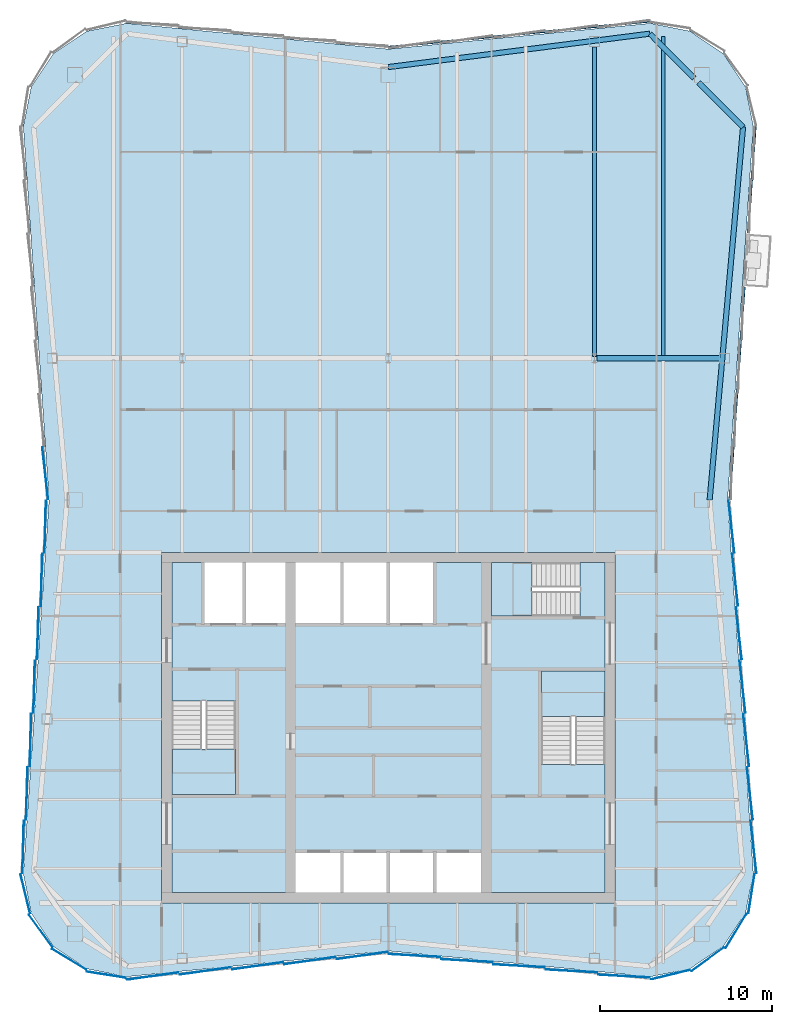
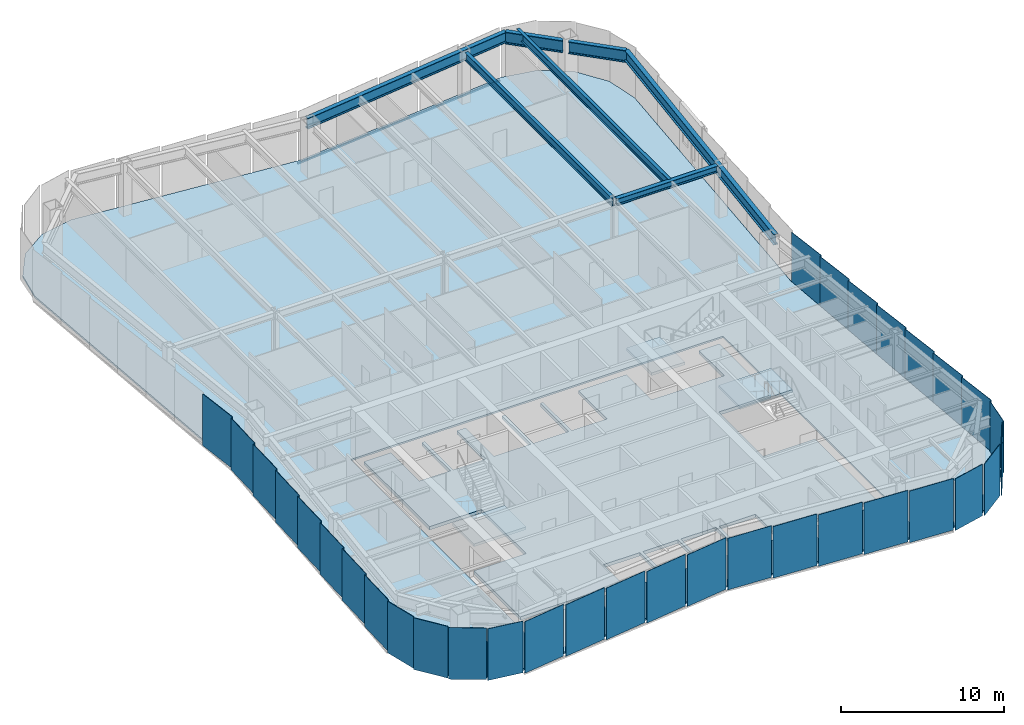
# One storey, part 4 of 10: 33 plates, 7 beams, 5 slabs, 3 members, 9 elements without a shape of their own.
"""IFC4 building model written with IfcOpenShell, lengths in metres."""

import ifcopenshell
import ifcopenshell.guid

model = None  # the IFC model being written
_history = None  # IfcOwnerHistory: only IFC2X3 demands one
_inside = {}  # id of a spatial element -> (the spatial element, [elements in it])
_under = {}  # id of a project, library or spatial element -> (it, [spatial elements below it])
_declared = {}  # id of a project -> (the project, [libraries it declares])
_typed = {}  # id of a type object -> (the type object, [elements of that type])
_made_of = {}  # id of a material, layer set ... -> (it, [elements and type objects made of it])


def new_model(schema):
    """Start an empty IFC model of exactly this schema.

    Asked for "IFC4X3", IfcOpenShell would pick the latest addendum, in which some entities
    have other attributes; the version numbers below select the first issue.
    IFC2X3 requires an IfcOwnerHistory on every rooted entity: one is made here for all.
    """
    global model, _history
    if schema == "IFC4X3":
        model = ifcopenshell.file(schema_version=(4, 3, 0, 0))
    else:
        model = ifcopenshell.file(schema=schema)
    _inside.clear()
    _under.clear()
    _declared.clear()
    _typed.clear()
    _made_of.clear()
    _history = None
    if model.schema == "IFC2X3":
        org = make("IfcOrganization", Name="unknown")
        user = make(
            "IfcPersonAndOrganization",
            ThePerson=make("IfcPerson", FamilyName="unknown"),
            TheOrganization=org,
        )
        app = make(
            "IfcApplication",
            ApplicationDeveloper=org,
            Version="unknown",
            ApplicationFullName="unknown",
            ApplicationIdentifier="unknown",
        )
        _history = make(
            "IfcOwnerHistory",
            OwningUser=user,
            OwningApplication=app,
            ChangeAction="ADDED",
            CreationDate=0,
        )
    return model


def make(cls, **values):
    """One entity of the class cls with the attributes given. An attribute that is None is left unset."""
    return model.create_entity(
        cls, **{name: value for name, value in values.items() if value is not None}
    )


def rooted(cls, **values):
    """An entity with a GlobalId (a new one), such as an element, a storey or a relation."""
    return make(cls, GlobalId=ifcopenshell.guid.new(), OwnerHistory=_history, **values)


def si_unit(unit_type, name, prefix=None):
    """IfcSIUnit, for example si_unit("LENGTHUNIT", "METRE", prefix="MILLI")."""
    return make("IfcSIUnit", UnitType=unit_type, Prefix=prefix, Name=name)


def assignment(units):
    """IfcUnitAssignment: the units of a project."""
    return None if units is None else make("IfcUnitAssignment", Units=units)


def point(xyz):
    """IfcCartesianPoint."""
    return None if xyz is None else make("IfcCartesianPoint", Coordinates=xyz)


def direction(xyz):
    """IfcDirection."""
    return None if xyz is None else make("IfcDirection", DirectionRatios=xyz)


def frame(location, z_axis=None, x_axis=None):
    """IfcAxis2Placement3D, a coordinate frame: its origin and axes. An axis left out is left unset."""
    return make(
        "IfcAxis2Placement3D",
        Location=point(location),
        Axis=direction(z_axis),
        RefDirection=direction(x_axis),
    )


def frame_2d(location, x_axis=None):
    """IfcAxis2Placement2D, a coordinate frame in the plane: its origin and x axis."""
    return make(
        "IfcAxis2Placement2D", Location=point(location), RefDirection=direction(x_axis)
    )


def origin():
    """The frame at (0, 0, 0) with its axes left unset."""
    return frame((0.0, 0.0, 0.0))


def origin_2d():
    """The frame at (0, 0) in the plane with its x axis left unset."""
    return frame_2d((0.0, 0.0))


def place(relative_to, where):
    """IfcLocalPlacement: puts the frame where relative to a parent placement (None: the world)."""
    return make(
        "IfcLocalPlacement", PlacementRelTo=relative_to, RelativePlacement=where
    )


def context(
    kind, dimensions, precision=None, world=None, true_north=None, identifier=None
):
    """IfcGeometricRepresentationContext, for example the 3D "Model" context."""
    return make(
        "IfcGeometricRepresentationContext",
        ContextIdentifier=identifier,
        ContextType=kind,
        CoordinateSpaceDimension=dimensions,
        Precision=precision,
        WorldCoordinateSystem=world,
        TrueNorth=true_north,
    )


def subcontext(parent, identifier, kind, view, scale=None):
    """IfcGeometricRepresentationSubContext, for example "Body" below "Model"."""
    return make(
        "IfcGeometricRepresentationSubContext",
        ContextIdentifier=identifier,
        ContextType=kind,
        ParentContext=parent,
        TargetScale=scale,
        TargetView=view,
    )


def project(units=None, contexts=None):
    """IfcProject with its units and contexts."""
    return rooted(
        "IfcProject",
        Name="project",
        RepresentationContexts=contexts,
        UnitsInContext=assignment(units),
    )


def spatial(cls, under=None, at=None, **own):
    """A site, building, storey or space (cls), placed at a placement, below another one or the project."""
    s = rooted(cls, ObjectPlacement=at, **own)
    if under is not None:
        _under.setdefault(under.id(), (under, []))[1].append(s)
    return s


def polyline(points):
    """IfcPolyline through the points."""
    return make("IfcPolyline", Points=[point(p) for p in points])


def profile(cls, at=None, kind="AREA", **sizes):
    """A parametric profile (cls). Its sizes go by their IFC names, for example OverallWidth=200.0."""
    return make(cls, ProfileType=kind, Position=at, **sizes)


def rectangle(**sizes):
    """IfcRectangleProfileDef."""
    return profile("IfcRectangleProfileDef", **sizes)


def i_section(**sizes):
    """IfcIShapeProfileDef."""
    return profile("IfcIShapeProfileDef", **sizes)


def outline(outer, holes=None, kind="AREA"):
    """IfcArbitraryClosedProfileDef: a profile drawn as a closed curve; with holes, ...WithVoids."""
    if holes is None:
        return make("IfcArbitraryClosedProfileDef", ProfileType=kind, OuterCurve=outer)
    return make(
        "IfcArbitraryProfileDefWithVoids",
        ProfileType=kind,
        OuterCurve=outer,
        InnerCurves=holes,
    )


def extrude(swept, where, along, depth):
    """IfcExtrudedAreaSolid: the profile swept, set in the frame where, extruded along a direction by depth."""
    return make(
        "IfcExtrudedAreaSolid",
        SweptArea=swept,
        Position=where,
        ExtrudedDirection=direction(along),
        Depth=depth,
    )


def shape(context_of_items, identifier, shape_type, items):
    """IfcShapeRepresentation: the items that make up one representation, for example the "Body"."""
    return make(
        "IfcShapeRepresentation",
        ContextOfItems=context_of_items,
        RepresentationIdentifier=identifier,
        RepresentationType=shape_type,
        Items=items,
    )


def material(Name=None, Category=None):
    """IfcMaterial."""
    return make("IfcMaterial", Name=Name, Category=Category)


def layer(
    of_material, thickness, ventilated=None, Name=None, Category=None, Priority=None
):
    """IfcMaterialLayer: one layer of a wall or slab, of a material (None: an air gap)."""
    return make(
        "IfcMaterialLayer",
        Material=of_material,
        LayerThickness=thickness,
        IsVentilated=ventilated,
        Name=Name,
        Category=Category,
        Priority=Priority,
    )


def layer_set(layers, Name=None):
    """IfcMaterialLayerSet."""
    return make("IfcMaterialLayerSet", MaterialLayers=layers, LayerSetName=Name)


def material_profile(
    of_material, cross_section, Name=None, Category=None, Priority=None
):
    """IfcMaterialProfile: a cross section and its material."""
    return make(
        "IfcMaterialProfile",
        Name=Name,
        Material=of_material,
        Profile=cross_section,
        Priority=Priority,
        Category=Category,
    )


def profile_set(profiles, Name=None, composite=None):
    """IfcMaterialProfileSet."""
    return make(
        "IfcMaterialProfileSet",
        Name=Name,
        MaterialProfiles=profiles,
        CompositeProfile=composite,
    )


def made_of(thing, what):
    """Note that an element or type object is made of a material, layer set ...; save() writes the relation."""
    if what is not None:
        _made_of.setdefault(what.id(), (what, []))[1].append(thing)
    return thing


def type_object(cls, material=None, **own):
    """A type object (cls), such as IfcWallType, which elements share."""
    return made_of(rooted(cls, **own), material)


def element(
    cls,
    number,
    at=None,
    inside=None,
    cuts=None,
    type_object=None,
    material=None,
    context=None,
    identifier="Body",
    shape_type=None,
    held_by="IfcProductDefinitionShape",
    body=None,
    shapes=None,
    **own,
):
    """One element of the class cls, such as IfcWall. Its Tag is "e" and its number.

    at: its placement. inside: the storey or other place that contains it. cuts: it is an
    opening in that element (IfcRelVoidsElement). A single representation is given by context,
    identifier, shape_type and body (its items); several are given by shapes. held_by: the class
    of the entity that holds the representations. save() writes the other relations.
    """
    e = rooted(cls, Tag="e%d" % number, ObjectPlacement=at, **own)
    if body is not None:
        shapes = [shape(context, identifier, shape_type, body)]
    if shapes is not None:
        e.Representation = make(held_by, Representations=shapes)
    if inside is not None:
        _inside.setdefault(inside.id(), (inside, []))[1].append(e)
    if cuts is not None:
        rooted(
            "IfcRelVoidsElement", RelatingBuildingElement=cuts, RelatedOpeningElement=e
        )
    if type_object is not None:
        _typed.setdefault(type_object.id(), (type_object, []))[1].append(e)
    return made_of(e, material)


def aggregate(whole, parts):
    """IfcRelAggregates: a whole, such as a stair, and the parts it consists of."""
    return rooted("IfcRelAggregates", RelatingObject=whole, RelatedObjects=parts)


def save(model, path):
    """Write the relations noted so far, then the file.

    IfcRelAggregates (storeys below a building ...), IfcRelContainedInSpatialStructure (elements
    in a storey), IfcRelDefinesByType, IfcRelAssociatesMaterial and IfcRelDeclares: one each for
    every whole, place, type object, material and project.
    """
    for whole, parts in _under.values():
        aggregate(whole, parts)
    for where, things in _inside.values():
        rooted(
            "IfcRelContainedInSpatialStructure",
            RelatedElements=things,
            RelatingStructure=where,
        )
    for kind, things in _typed.values():
        rooted("IfcRelDefinesByType", RelatedObjects=things, RelatingType=kind)
    for what, things in _made_of.values():
        rooted("IfcRelAssociatesMaterial", RelatedObjects=things, RelatingMaterial=what)
    for by, libraries in _declared.values():
        rooted("IfcRelDeclares", RelatingContext=by, RelatedDefinitions=libraries)
    model.write(path)


model = new_model("IFC4")

# Units and contexts
model_context = context("Model", 3, precision=1e-05, world=origin(), true_north=direction((0.0, 1.0)))
body_context = subcontext(model_context, "Body", "Model", "MODEL_VIEW")
ifc_project = project(units=[si_unit("LENGTHUNIT", "METRE"), si_unit("AREAUNIT", "SQUARE_METRE"), si_unit("VOLUMEUNIT", "CUBIC_METRE"), si_unit("PLANEANGLEUNIT", "RADIAN"), si_unit("MASSUNIT", "GRAM", prefix="KILO")], contexts=[model_context])

# Site, building, storey
site_placement = place(None, origin())
site = spatial("IfcSite", under=ifc_project, at=site_placement, CompositionType="ELEMENT")
building_placement = place(site_placement, origin())
building = spatial("IfcBuilding", under=site, at=building_placement, Name="Verdant Reach Tower", CompositionType="ELEMENT")
storey_placement = place(building_placement, frame((0.0, 0.0, 310.0)))
storey = spatial("IfcBuildingStorey", under=building, at=storey_placement, Name="L71", CompositionType="ELEMENT", Elevation=310.0)

# Curtain wall, members
ifc_material_1 = material(Name="Anodised aluminium", Category="aluminium")
curtain_wall_type = type_object("IfcCurtainWallType", Name="EN-CW SYSTEM Z5", PredefinedType="NOTDEFINED", material=ifc_material_1)
curtain_wall_1_placement = place(storey_placement, origin())
curtain_wall_1 = element("IfcCurtainWall", 1, at=curtain_wall_1_placement, inside=storey, type_object=curtain_wall_type, Name="Curtain wall east, L71", PredefinedType="NOTDEFINED")
ifc_material_profile_1 = material_profile(ifc_material_1, rectangle(XDim=0.10009765625, YDim=0.1298828125, at=origin_2d()), Name="Transom 130x100")
ifc_profile_set_1 = profile_set([ifc_material_profile_1], Name="Anodised aluminium")
member_type = type_object("IfcMemberType", Name="EN-TRANSOM Z5", PredefinedType="USERDEFINED", material=ifc_profile_set_1)
member_1_placement = place(storey_placement, frame((19.867431640625, 41.284912109375, -0.284912109375), z_axis=(0.068823748892, 0.997628834582, 0.0), x_axis=(-0.997628834582, 0.068823748892, 0.0)))
member_1 = element("IfcMember", 2, at=member_1_placement, type_object=member_type, Name="Transom east face part 2 1.1, L71", ObjectType="TRANSOM", PredefinedType="USERDEFINED", context=body_context, shape_type="SweptSolid", body=[
    extrude(rectangle(XDim=0.10009765625, YDim=0.1298828125, at=origin_2d()), origin(), (0.0, 0.0, 1.0), 12.380126953125),
])
member_2_placement = place(storey_placement, frame((20.9384765625, 56.812744140625, -0.284912109375), z_axis=(0.068644672033, 0.997641172467, 0.0), x_axis=(-0.997641172467, 0.068644672033, 0.0)))
member_2 = element("IfcMember", 3, at=member_2_placement, type_object=member_type, Name="Transom east face part 2 2.1, L71", ObjectType="TRANSOM", PredefinedType="USERDEFINED", context=body_context, shape_type="SweptSolid", body=[
    extrude(rectangle(XDim=0.10009765625, YDim=0.1298828125, at=origin_2d()), origin(), (0.0, 0.0, 1.0), 6.17431640625),
])

# Curtain wall, member
curtain_wall_2_placement = place(storey_placement, origin())
curtain_wall_2 = element("IfcCurtainWall", 4, at=curtain_wall_2_placement, inside=storey, type_object=curtain_wall_type, Name="Curtain wall north, L71", PredefinedType="NOTDEFINED")
member_3_placement = place(storey_placement, frame((15.220703125, 69.111328125, -0.284912109375), z_axis=(-0.99520229006, -0.097838652171, 0.0), x_axis=(0.097838652171, -0.99520229006, 0.0)))
member_3 = element("IfcMember", 5, at=member_3_placement, type_object=member_type, Name="Transom north face part 1 1.1, L71", ObjectType="TRANSOM", PredefinedType="USERDEFINED", context=body_context, shape_type="SweptSolid", body=[
    extrude(rectangle(XDim=0.10009765625, YDim=0.1298828125, at=origin_2d()), origin(), (0.0, 0.0, 1.0), 15.259033203125),
])
aggregate(curtain_wall_2, [member_3])

# Beams
ifc_material_2 = material(Name="Steel S355", Category="steel")
ifc_material_profile_2 = material_profile(ifc_material_2, i_section(OverallWidth=0.300048828125, OverallDepth=0.489990234375, WebThickness=0.011962890625, FlangeThickness=0.02294921875, FilletRadius=0.027099609375, at=origin_2d()), Name="HEA 500")
ifc_profile_set_2 = profile_set([ifc_material_profile_2], Name="Steel S355")
beam_type_1 = type_object("IfcBeamType", Name="ST-BEAM-HEA500", PredefinedType="BEAM", material=ifc_profile_set_2)
beam_1_placement = place(storey_placement, frame((12.153076171875, 49.5, 3.625), z_axis=(1.0, 0.0, 0.0), x_axis=(0.0, 1.0, 0.0)))
element("IfcBeam", 6, at=beam_1_placement, inside=storey, type_object=beam_type_1, Name="Row girder, L71", PredefinedType="BEAM", context=body_context, shape_type="SweptSolid", body=[
    extrude(i_section(OverallWidth=0.300048828125, OverallDepth=0.489990234375, WebThickness=0.011962890625, FlangeThickness=0.02294921875, FilletRadius=0.027099609375, at=origin_2d()), origin(), (0.0, 0.0, 1.0), 7.115966796875),
])
ifc_material_profile_3 = material_profile(ifc_material_2, i_section(OverallWidth=0.219970703125, OverallDepth=0.60009765625, WebThickness=0.011962890625, FlangeThickness=0.01904296875, FilletRadius=0.02392578125, at=origin_2d()), Name="IPE 600")
ifc_profile_set_3 = profile_set([ifc_material_profile_3], Name="Steel S355")
beam_type_2 = type_object("IfcBeamType", Name="ST-JOIST-IPE600", PredefinedType="JOIST", material=ifc_profile_set_3)
beam_2_placement = place(storey_placement, frame((12.0, 49.60009765625, 3.570068359375), z_axis=(0.0, 1.0, 0.0), x_axis=(-1.0, 0.0, 0.0)))
element("IfcBeam", 7, at=beam_2_placement, inside=storey, type_object=beam_type_2, Name="Floor joist, L71", PredefinedType="JOIST", context=body_context, shape_type="SweptSolid", body=[
    extrude(i_section(OverallWidth=0.219970703125, OverallDepth=0.60009765625, WebThickness=0.011962890625, FlangeThickness=0.01904296875, FilletRadius=0.02392578125, at=origin_2d()), origin(), (0.0, 0.0, 1.0), 18.0302734375),
])
beam_3_placement = place(storey_placement, frame((16.0, 49.60009765625, 3.570068359375), z_axis=(0.0, 1.0, 0.0), x_axis=(-1.0, 0.0, 0.0)))
element("IfcBeam", 8, at=beam_3_placement, inside=storey, type_object=beam_type_2, Name="Floor joist, L71", PredefinedType="JOIST", context=body_context, shape_type="SweptSolid", body=[
    extrude(i_section(OverallWidth=0.219970703125, OverallDepth=0.60009765625, WebThickness=0.011962890625, FlangeThickness=0.01904296875, FilletRadius=0.02392578125, at=origin_2d()), origin(), (0.0, 0.0, 1.0), 18.638916015625),
])
ifc_material_profile_4 = material_profile(ifc_material_2, i_section(OverallWidth=0.300048828125, OverallDepth=0.800048828125, WebThickness=0.017578125, FlangeThickness=0.032958984375, FilletRadius=0.030029296875, at=origin_2d()), Name="HEB 800")
ifc_profile_set_4 = profile_set([ifc_material_profile_4], Name="Steel S355")
beam_type_3 = type_object("IfcBeamType", Name="ST-SPANDREL-HEB800", PredefinedType="SPANDREL", material=ifc_profile_set_4)
beam_4_placement = place(storey_placement, frame((0.0, 66.449951171875, 3.469970703125), z_axis=(0.991938889669, 0.126717162063, 0.0), x_axis=(-0.126717162063, 0.991938889669, 0.0)))
element("IfcBeam", 9, at=beam_4_placement, inside=storey, type_object=beam_type_3, Name="Edge beam, L71", PredefinedType="SPANDREL", context=body_context, shape_type="SweptSolid", body=[
    extrude(i_section(OverallWidth=0.300048828125, OverallDepth=0.800048828125, WebThickness=0.017578125, FlangeThickness=0.032958984375, FilletRadius=0.030029296875, at=origin_2d()), origin(), (0.0, 0.0, 1.0), 15.343994140625),
])
beam_5_placement = place(storey_placement, frame((20.64599609375, 62.96142578125, 3.469970703125), z_axis=(-0.089274399498, -0.996007069048, 0.0), x_axis=(0.996007069048, -0.089274399498, 0.0)))
element("IfcBeam", 10, at=beam_5_placement, inside=storey, type_object=beam_type_3, Name="Edge beam, L71", PredefinedType="SPANDREL", context=body_context, shape_type="SweptSolid", body=[
    extrude(i_section(OverallWidth=0.300048828125, OverallDepth=0.800048828125, WebThickness=0.017578125, FlangeThickness=0.032958984375, FilletRadius=0.030029296875, at=origin_2d()), origin(), (0.0, 0.0, 1.0), 21.798583984375),
])
ifc_material_profile_5 = material_profile(ifc_material_2, i_section(OverallWidth=0.302001953125, OverallDepth=0.909912109375, WebThickness=0.02099609375, FlangeThickness=0.0400390625, FilletRadius=0.030029296875, at=origin_2d()), Name="HEM 900")
ifc_profile_set_5 = profile_set([ifc_material_profile_5], Name="Steel S355")
beam_type_4 = type_object("IfcBeamType", Name="ST-SPANDREL-HEM900", PredefinedType="SPANDREL", material=ifc_profile_set_5)
beam_6_placement = place(storey_placement, frame((15.22021484375, 68.394287109375, 3.4150390625), z_axis=(0.706638520854, -0.707574731632, 0.0), x_axis=(0.707574731632, 0.706638520854, 0.0)))
element("IfcBeam", 11, at=beam_6_placement, inside=storey, type_object=beam_type_4, Name="Edge beam, L71", PredefinedType="SPANDREL", context=body_context, shape_type="SweptSolid", body=[
    extrude(i_section(OverallWidth=0.302001953125, OverallDepth=0.909912109375, WebThickness=0.02099609375, FlangeThickness=0.0400390625, FilletRadius=0.030029296875, at=origin_2d()), origin(), (0.0, 0.0, 1.0), 3.65087890625),
])
beam_7_placement = place(storey_placement, frame((18.060791015625, 65.550048828125, 3.4150390625), z_axis=(0.706639493403, -0.707573760369, 0.0), x_axis=(0.707573760369, 0.706639493403, 0.0)))
element("IfcBeam", 12, at=beam_7_placement, inside=storey, type_object=beam_type_4, Name="Edge beam, L71", PredefinedType="SPANDREL", context=body_context, shape_type="SweptSolid", body=[
    extrude(i_section(OverallWidth=0.302001953125, OverallDepth=0.909912109375, WebThickness=0.02099609375, FlangeThickness=0.0400390625, FilletRadius=0.030029296875, at=origin_2d()), origin(), (0.0, 0.0, 1.0), 3.658447265625),
])

# Stair, slab
ifc_material_3 = material(Name="Concrete C40/50", Category="concrete")
stair_type = type_object("IfcStairType", Name="CO-STAIR", PredefinedType="HALF_TURN_STAIR", material=ifc_material_3)
stair_1_placement = place(storey_placement, origin())
stair_1 = element("IfcStair", 13, at=stair_1_placement, inside=storey, type_object=stair_type, Name="L71 Exit stair 1", PredefinedType="HALF_TURN_STAIR")
ifc_layer_1 = layer(ifc_material_3, 0.199951171875)
ifc_layer_set_1 = layer_set([ifc_layer_1], Name="CO-STAIR-LANDING")
slab_type_1 = type_object("IfcSlabType", Name="CO-STAIR-LANDING", PredefinedType="LANDING", material=ifc_layer_set_1)
slab_1_placement = place(storey_placement, frame((0.0, 0.0, 1.800048828125)))
slab_1 = element("IfcSlab", 14, at=slab_1_placement, type_object=slab_type_1, Name="ST-1 landing 1", PredefinedType="LANDING", context=body_context, shape_type="SweptSolid", body=[
    extrude(outline(polyline([(-12.60009765625, 26.75), (-12.60009765625, 24.10009765625), (-8.89990234375, 24.10009765625), (-8.89990234375, 26.75), (-12.60009765625, 26.75)])), origin(), (0.0, 0.0, 1.0), 0.199951171875),
])
aggregate(stair_1, [slab_1])

stair_2_placement = place(storey_placement, origin())
stair_2 = element("IfcStair", 15, at=stair_2_placement, inside=storey, type_object=stair_type, Name="L71 Exit stair 2", PredefinedType="HALF_TURN_STAIR")
slab_2_placement = place(storey_placement, frame((0.0, 0.0, 1.800048828125)))
slab_2 = element("IfcSlab", 16, at=slab_2_placement, type_object=slab_type_1, Name="ST-2 landing 1", PredefinedType="LANDING", context=body_context, shape_type="SweptSolid", body=[
    extrude(outline(polyline([(12.60009765625, 28.64990234375), (12.60009765625, 31.300048828125), (8.89990234375, 31.300048828125), (8.89990234375, 28.64990234375), (12.60009765625, 28.64990234375)])), origin(), (0.0, 0.0, 1.0), 0.199951171875),
])
aggregate(stair_2, [slab_2])

stair_3_placement = place(storey_placement, origin())
stair_3 = element("IfcStair", 17, at=stair_3_placement, inside=storey, type_object=stair_type, Name="L71 Exit stair 3", PredefinedType="HALF_TURN_STAIR")
slab_3_placement = place(storey_placement, frame((0.0, 0.0, 1.800048828125)))
slab_3 = element("IfcSlab", 18, at=slab_3_placement, type_object=slab_type_1, Name="ST-3 landing 1", PredefinedType="LANDING", context=body_context, shape_type="SweptSolid", body=[
    extrude(outline(polyline([(8.35009765625, 37.60009765625), (6.0, 37.60009765625), (6.0, 34.5), (8.35009765625, 34.5), (8.35009765625, 37.60009765625)])), origin(), (0.0, 0.0, 1.0), 0.199951171875),
])
aggregate(stair_3, [slab_3])

# Curtain wall, plates
curtain_wall_3_placement = place(storey_placement, origin())
curtain_wall_3 = element("IfcCurtainWall", 19, at=curtain_wall_3_placement, inside=storey, type_object=curtain_wall_type, Name="Curtain wall south-east corner, L71", PredefinedType="NOTDEFINED")
ifc_material_4 = material(Name="Tinted glass with champagne spandrel", Category="glass")
ifc_layer_2 = layer(ifc_material_4, 0.031982421875)
ifc_layer_set_2 = layer_set([ifc_layer_2], Name="EN-PANEL CHAMPAGNE")
plate_type_1 = type_object("IfcPlateType", Name="EN-PANEL CHAMPAGNE", PredefinedType="CURTAIN_PANEL", material=ifc_layer_set_2)
plate_1_placement = place(storey_placement, frame((16.4228515625, 13.61767578125, -0.219970703125), z_axis=(0.0, 0.0, 1.0), x_axis=(0.971661765526, 0.236375577028, 0.0)))
plate_1 = element("IfcPlate", 20, at=plate_1_placement, type_object=plate_type_1, Name="Glass panel south-east corner 1.1, L71", PredefinedType="CURTAIN_PANEL", context=body_context, shape_type="SweptSolid", body=[
    extrude(rectangle(XDim=2.314453125, YDim=0.031982421875, at=origin_2d()), origin(), (0.0, 0.0, 1.0), 3.8701171875),
])
plate_2_placement = place(storey_placement, frame((18.58203125, 14.51318359375, -0.219970703125), z_axis=(0.0, 0.0, 1.0), x_axis=(0.807456783236, 0.58992672698, 0.0)))
plate_2 = element("IfcPlate", 21, at=plate_2_placement, type_object=plate_type_1, Name="Glass panel south-east corner 2.1, L71", PredefinedType="CURTAIN_PANEL", context=body_context, shape_type="SweptSolid", body=[
    extrude(rectangle(XDim=2.320068359375, YDim=0.031982421875, at=origin_2d()), origin(), (0.0, 0.0, 1.0), 3.8701171875),
])
plate_3_placement = place(storey_placement, frame((20.23681640625, 16.16796875, -0.219970703125), z_axis=(0.0, 0.0, 1.0), x_axis=(0.520291528711, 0.853988714885, 0.0)))
plate_3 = element("IfcPlate", 22, at=plate_3_placement, type_object=plate_type_1, Name="Glass panel south-east corner 3.1, L71", PredefinedType="CURTAIN_PANEL", context=body_context, shape_type="SweptSolid", body=[
    extrude(rectangle(XDim=2.320068359375, YDim=0.031982421875, at=origin_2d()), origin(), (0.0, 0.0, 1.0), 3.8701171875),
])

# Plate
plate_4_placement = place(storey_placement, frame((21.257568359375, 21.053955078125, -0.219970703125), z_axis=(0.0, 0.0, 1.0), x_axis=(-0.110197580247, 0.993909700782, 0.0)))
plate_4 = element("IfcPlate", 23, at=plate_4_placement, type_object=plate_type_1, Name="Glass panel east face part 1 1.1, L71", PredefinedType="CURTAIN_PANEL", context=body_context, shape_type="SweptSolid", body=[
    extrude(rectangle(XDim=3.063720703125, YDim=0.031982421875, at=origin_2d()), origin(), (0.0, 0.0, 1.0), 3.8701171875),
])

plate_5_placement = place(storey_placement, frame((19.971923828125, 39.700439453125, -0.219970703125), z_axis=(0.0, 0.0, 1.0), x_axis=(-0.110605344993, 0.993864406073, 0.0)))
plate_5 = element("IfcPlate", 24, at=plate_5_placement, type_object=plate_type_1, Name="Glass panel east face part 1 7.1, L71", PredefinedType="CURTAIN_PANEL", context=body_context, shape_type="SweptSolid", body=[
    extrude(rectangle(XDim=3.04052734375, YDim=0.031982421875, at=origin_2d()), origin(), (0.0, 0.0, 1.0), 3.8701171875),
])

# Curtain wall, plates
curtain_wall_4_placement = place(storey_placement, origin())
curtain_wall_4 = element("IfcCurtainWall", 25, at=curtain_wall_4_placement, inside=storey, type_object=curtain_wall_type, Name="Curtain wall west, L71", PredefinedType="NOTDEFINED")
plate_6_placement = place(storey_placement, frame((-20.8291015625, 27.27587890625, -0.219970703125), z_axis=(0.0, 0.0, 1.0), x_axis=(-0.026965318308, -0.999636369691, 0.0)))
plate_6 = element("IfcPlate", 26, at=plate_6_placement, type_object=plate_type_1, Name="Glass panel west face part 2 5.1, L71", PredefinedType="CURTAIN_PANEL", context=body_context, shape_type="SweptSolid", body=[
    extrude(rectangle(XDim=3.048583984375, YDim=0.031982421875, at=origin_2d()), origin(), (0.0, 0.0, 1.0), 3.8701171875),
])
plate_7_placement = place(storey_placement, frame((-21.043212890625, 24.168701171875, -0.219970703125), z_axis=(0.0, 0.0, 1.0), x_axis=(-0.026965318308, -0.999636369691, 0.0)))
plate_7 = element("IfcPlate", 27, at=plate_7_placement, type_object=plate_type_1, Name="Glass panel west face part 2 6.1, L71", PredefinedType="CURTAIN_PANEL", context=body_context, shape_type="SweptSolid", body=[
    extrude(rectangle(XDim=3.048583984375, YDim=0.031982421875, at=origin_2d()), origin(), (0.0, 0.0, 1.0), 3.8701171875),
])

curtain_wall_5_placement = place(storey_placement, origin())
curtain_wall_5 = element("IfcCurtainWall", 28, at=curtain_wall_5_placement, inside=storey, type_object=curtain_wall_type, Name="Curtain wall south-west corner, L71", PredefinedType="NOTDEFINED")
plate_8_placement = place(storey_placement, frame((-18.58203125, 14.51318359375, -0.219970703125), z_axis=(0.0, 0.0, 1.0), x_axis=(0.853988714885, -0.520291528711, 0.0)))
plate_8 = element("IfcPlate", 29, at=plate_8_placement, type_object=plate_type_1, Name="Glass panel south-west corner 3.1, L71", PredefinedType="CURTAIN_PANEL", context=body_context, shape_type="SweptSolid", body=[
    extrude(rectangle(XDim=2.320068359375, YDim=0.031982421875, at=origin_2d()), origin(), (0.0, 0.0, 1.0), 3.8701171875),
])
plate_9_placement = place(storey_placement, frame((-16.4228515625, 13.61767578125, -0.219970703125), z_axis=(0.0, 0.0, 1.0), x_axis=(0.988033409454, -0.154240013621, 0.0)))
plate_9 = element("IfcPlate", 30, at=plate_9_placement, type_object=plate_type_1, Name="Glass panel south-west corner 4.1, L71", PredefinedType="CURTAIN_PANEL", context=body_context, shape_type="SweptSolid", body=[
    extrude(rectangle(XDim=2.314453125, YDim=0.031982421875, at=origin_2d()), origin(), (0.0, 0.0, 1.0), 3.8701171875),
])

curtain_wall_6_placement = place(storey_placement, origin())
curtain_wall_6 = element("IfcCurtainWall", 31, at=curtain_wall_6_placement, inside=storey, type_object=curtain_wall_type, Name="Curtain wall south, L71", PredefinedType="NOTDEFINED")
plate_10_placement = place(storey_placement, frame((-13.72216796875, 13.535400390625, -0.219970703125), z_axis=(0.0, 0.0, 1.0), x_axis=(0.990281521639, 0.139077345032, 0.0)))
plate_10 = element("IfcPlate", 32, at=plate_10_placement, type_object=plate_type_1, Name="Glass panel south face part 1 1.1, L71", PredefinedType="CURTAIN_PANEL", context=body_context, shape_type="SweptSolid", body=[
    extrude(rectangle(XDim=3.015625, YDim=0.031982421875, at=origin_2d()), origin(), (0.0, 0.0, 1.0), 3.8701171875),
])
plate_11_placement = place(storey_placement, frame((-10.663818359375, 13.83544921875, -0.219970703125), z_axis=(0.0, 0.0, 1.0), x_axis=(0.990225318365, 0.139476947446, 0.0)))
plate_11 = element("IfcPlate", 33, at=plate_11_placement, type_object=plate_type_1, Name="Glass panel south face part 1 2.1, L71", PredefinedType="CURTAIN_PANEL", context=body_context, shape_type="SweptSolid", body=[
    extrude(rectangle(XDim=2.998779296875, YDim=0.031982421875, at=origin_2d()), origin(), (0.0, 0.0, 1.0), 3.8701171875),
])
plate_12_placement = place(storey_placement, frame((-7.61376953125, 14.135498046875, -0.219970703125), z_axis=(0.0, 0.0, 1.0), x_axis=(0.990225318365, 0.139476947446, 0.0)))
plate_12 = element("IfcPlate", 34, at=plate_12_placement, type_object=plate_type_1, Name="Glass panel south face part 1 3.1, L71", PredefinedType="CURTAIN_PANEL", context=body_context, shape_type="SweptSolid", body=[
    extrude(rectangle(XDim=2.998779296875, YDim=0.031982421875, at=origin_2d()), origin(), (0.0, 0.0, 1.0), 3.8701171875),
])
plate_13_placement = place(storey_placement, frame((7.61376953125, 14.135498046875, -0.219970703125), z_axis=(0.0, 0.0, 1.0), x_axis=(0.998423588956, -0.056127863106, 0.0)))
plate_13 = element("IfcPlate", 35, at=plate_13_placement, type_object=plate_type_1, Name="Glass panel south face part 2 3.1, L71", PredefinedType="CURTAIN_PANEL", context=body_context, shape_type="SweptSolid", body=[
    extrude(rectangle(XDim=2.998779296875, YDim=0.031982421875, at=origin_2d()), origin(), (0.0, 0.0, 1.0), 3.8701171875),
])
plate_14_placement = place(storey_placement, frame((10.663818359375, 13.83544921875, -0.219970703125), z_axis=(0.0, 0.0, 1.0), x_axis=(0.998423588956, -0.056127863106, 0.0)))
plate_14 = element("IfcPlate", 36, at=plate_14_placement, type_object=plate_type_1, Name="Glass panel south face part 2 4.1, L71", PredefinedType="CURTAIN_PANEL", context=body_context, shape_type="SweptSolid", body=[
    extrude(rectangle(XDim=2.998779296875, YDim=0.031982421875, at=origin_2d()), origin(), (0.0, 0.0, 1.0), 3.8701171875),
])

# Plate
ifc_material_5 = material(Name="Tinted glass with copper spandrel", Category="glass")
ifc_layer_3 = layer(ifc_material_5, 0.031982421875)
ifc_layer_set_3 = layer_set([ifc_layer_3], Name="EN-PANEL COPPER")
plate_type_2 = type_object("IfcPlateType", Name="EN-PANEL COPPER", PredefinedType="CURTAIN_PANEL", material=ifc_layer_set_3)
plate_15_placement = place(storey_placement, frame((21.132080078125, 18.326171875, -0.219970703125), z_axis=(0.0, 0.0, 1.0), x_axis=(0.154337499461, 0.988018186199, 0.0)))
plate_15 = element("IfcPlate", 37, at=plate_15_placement, type_object=plate_type_2, Name="Glass panel south-east corner 4.1, L71", PredefinedType="CURTAIN_PANEL", context=body_context, shape_type="SweptSolid", body=[
    extrude(rectangle(XDim=2.312744140625, YDim=0.031982421875, at=origin_2d()), origin(), (0.0, 0.0, 1.0), 3.8701171875),
])

aggregate(curtain_wall_3, [plate_1, plate_2, plate_3, plate_15])

plate_16_placement = place(storey_placement, frame((21.043212890625, 24.168701171875, -0.219970703125), z_axis=(0.0, 0.0, 1.0), x_axis=(-0.110518162674, 0.993874104562, 0.0)))
plate_16 = element("IfcPlate", 38, at=plate_16_placement, type_object=plate_type_2, Name="Glass panel east face part 1 2.1, L71", PredefinedType="CURTAIN_PANEL", context=body_context, shape_type="SweptSolid", body=[
    extrude(rectangle(XDim=3.048583984375, YDim=0.031982421875, at=origin_2d()), origin(), (0.0, 0.0, 1.0), 3.8701171875),
])

plate_17_placement = place(storey_placement, frame((20.8291015625, 27.27587890625, -0.219970703125), z_axis=(0.0, 0.0, 1.0), x_axis=(-0.110518162674, 0.993874104562, 0.0)))
plate_17 = element("IfcPlate", 39, at=plate_17_placement, type_object=plate_type_2, Name="Glass panel east face part 1 3.1, L71", PredefinedType="CURTAIN_PANEL", context=body_context, shape_type="SweptSolid", body=[
    extrude(rectangle(XDim=3.048583984375, YDim=0.031982421875, at=origin_2d()), origin(), (0.0, 0.0, 1.0), 3.8701171875),
])

plate_18_placement = place(storey_placement, frame((-19.971923828125, 42.799560546875, -0.219970703125), z_axis=(0.0, 0.0, 1.0), x_axis=(0.110605344993, -0.993864406073, 0.0)))
plate_18 = element("IfcPlate", 40, at=plate_18_placement, type_object=plate_type_2, Name="Glass panel west face part 1 7.1, L71", PredefinedType="CURTAIN_PANEL", context=body_context, shape_type="SweptSolid", body=[
    extrude(rectangle(XDim=3.04052734375, YDim=0.031982421875, at=origin_2d()), origin(), (0.0, 0.0, 1.0), 3.8701171875),
])

plate_19_placement = place(storey_placement, frame((-19.971923828125, 39.700439453125, -0.219970703125), z_axis=(0.0, 0.0, 1.0), x_axis=(-0.027053006415, -0.999634000444, 0.0)))
plate_19 = element("IfcPlate", 41, at=plate_19_placement, type_object=plate_type_2, Name="Glass panel west face part 2 1.1, L71", PredefinedType="CURTAIN_PANEL", context=body_context, shape_type="SweptSolid", body=[
    extrude(rectangle(XDim=3.04052734375, YDim=0.031982421875, at=origin_2d()), origin(), (0.0, 0.0, 1.0), 3.8701171875),
])

plate_20_placement = place(storey_placement, frame((-21.257568359375, 21.053955078125, -0.219970703125), z_axis=(0.0, 0.0, 1.0), x_axis=(-0.026642881595, -0.999645015423, 0.0)))
plate_20 = element("IfcPlate", 42, at=plate_20_placement, type_object=plate_type_2, Name="Glass panel west face part 2 7.1, L71", PredefinedType="CURTAIN_PANEL", context=body_context, shape_type="SweptSolid", body=[
    extrude(rectangle(XDim=3.063720703125, YDim=0.031982421875, at=origin_2d()), origin(), (0.0, 0.0, 1.0), 3.8701171875),
])

plate_21_placement = place(storey_placement, frame((-4.563720703125, 14.435546875, -0.219970703125), z_axis=(0.0, 0.0, 1.0), x_axis=(0.990225318365, 0.139476947446, 0.0)))
plate_21 = element("IfcPlate", 43, at=plate_21_placement, type_object=plate_type_2, Name="Glass panel south face part 1 4.1, L71", PredefinedType="CURTAIN_PANEL", context=body_context, shape_type="SweptSolid", body=[
    extrude(rectangle(XDim=2.998779296875, YDim=0.031982421875, at=origin_2d()), origin(), (0.0, 0.0, 1.0), 3.8701171875),
])

plate_22_placement = place(storey_placement, frame((-1.519287109375, 14.7353515625, -0.219970703125), z_axis=(0.0, 0.0, 1.0), x_axis=(0.990200074141, 0.139656053116, 0.0)))
plate_22 = element("IfcPlate", 44, at=plate_22_placement, type_object=plate_type_2, Name="Glass panel south face part 1 5.1, L71", PredefinedType="CURTAIN_PANEL", context=body_context, shape_type="SweptSolid", body=[
    extrude(rectangle(XDim=2.987548828125, YDim=0.031982421875, at=origin_2d()), origin(), (0.0, 0.0, 1.0), 3.8701171875),
])

plate_23_placement = place(storey_placement, frame((13.72216796875, 13.535400390625, -0.219970703125), z_axis=(0.0, 0.0, 1.0), x_axis=(0.998446157248, -0.055724959185, 0.0)))
plate_23 = element("IfcPlate", 45, at=plate_23_placement, type_object=plate_type_2, Name="Glass panel south face part 2 5.1, L71", PredefinedType="CURTAIN_PANEL", context=body_context, shape_type="SweptSolid", body=[
    extrude(rectangle(XDim=3.015625, YDim=0.031982421875, at=origin_2d()), origin(), (0.0, 0.0, 1.0), 3.8701171875),
])

ifc_material_6 = material(Name="Tinted glass with dark bronze spandrel", Category="glass")
ifc_layer_4 = layer(ifc_material_6, 0.031982421875)
ifc_layer_set_4 = layer_set([ifc_layer_4], Name="EN-PANEL DARK")
plate_type_3 = type_object("IfcPlateType", Name="EN-PANEL DARK", PredefinedType="CURTAIN_PANEL", material=ifc_layer_set_4)
plate_24_placement = place(storey_placement, frame((20.61474609375, 30.3828125, -0.219970703125), z_axis=(0.0, 0.0, 1.0), x_axis=(-0.110518162674, 0.993874104562, 0.0)))
plate_24 = element("IfcPlate", 46, at=plate_24_placement, type_object=plate_type_3, Name="Glass panel east face part 1 4.1, L71", PredefinedType="CURTAIN_PANEL", context=body_context, shape_type="SweptSolid", body=[
    extrude(rectangle(XDim=3.048583984375, YDim=0.031982421875, at=origin_2d()), origin(), (0.0, 0.0, 1.0), 3.8701171875),
])

plate_25_placement = place(storey_placement, frame((20.400390625, 33.489990234375, -0.219970703125), z_axis=(0.0, 0.0, 1.0), x_axis=(-0.110518162674, 0.993874104562, 0.0)))
plate_25 = element("IfcPlate", 47, at=plate_25_placement, type_object=plate_type_3, Name="Glass panel east face part 1 5.1, L71", PredefinedType="CURTAIN_PANEL", context=body_context, shape_type="SweptSolid", body=[
    extrude(rectangle(XDim=3.048583984375, YDim=0.031982421875, at=origin_2d()), origin(), (0.0, 0.0, 1.0), 3.8701171875),
])

plate_26_placement = place(storey_placement, frame((20.18603515625, 36.59716796875, -0.219970703125), z_axis=(0.0, 0.0, 1.0), x_axis=(-0.110518162674, 0.993874104562, 0.0)))
plate_26 = element("IfcPlate", 48, at=plate_26_placement, type_object=plate_type_3, Name="Glass panel east face part 1 6.1, L71", PredefinedType="CURTAIN_PANEL", context=body_context, shape_type="SweptSolid", body=[
    extrude(rectangle(XDim=3.048583984375, YDim=0.031982421875, at=origin_2d()), origin(), (0.0, 0.0, 1.0), 3.8701171875),
])

aggregate(curtain_wall_1, [plate_4, plate_16, plate_17, plate_24, plate_25, plate_26, plate_5, member_1, member_2])

plate_27_placement = place(storey_placement, frame((-20.18603515625, 36.59716796875, -0.219970703125), z_axis=(0.0, 0.0, 1.0), x_axis=(-0.026965318308, -0.999636369691, 0.0)))
plate_27 = element("IfcPlate", 49, at=plate_27_placement, type_object=plate_type_3, Name="Glass panel west face part 2 2.1, L71", PredefinedType="CURTAIN_PANEL", context=body_context, shape_type="SweptSolid", body=[
    extrude(rectangle(XDim=3.048583984375, YDim=0.031982421875, at=origin_2d()), origin(), (0.0, 0.0, 1.0), 3.8701171875),
])

plate_28_placement = place(storey_placement, frame((-20.400390625, 33.489990234375, -0.219970703125), z_axis=(0.0, 0.0, 1.0), x_axis=(-0.026965318308, -0.999636369691, 0.0)))
plate_28 = element("IfcPlate", 50, at=plate_28_placement, type_object=plate_type_3, Name="Glass panel west face part 2 3.1, L71", PredefinedType="CURTAIN_PANEL", context=body_context, shape_type="SweptSolid", body=[
    extrude(rectangle(XDim=3.048583984375, YDim=0.031982421875, at=origin_2d()), origin(), (0.0, 0.0, 1.0), 3.8701171875),
])

plate_29_placement = place(storey_placement, frame((-20.61474609375, 30.3828125, -0.219970703125), z_axis=(0.0, 0.0, 1.0), x_axis=(-0.026965318308, -0.999636369691, 0.0)))
plate_29 = element("IfcPlate", 51, at=plate_29_placement, type_object=plate_type_3, Name="Glass panel west face part 2 4.1, L71", PredefinedType="CURTAIN_PANEL", context=body_context, shape_type="SweptSolid", body=[
    extrude(rectangle(XDim=3.048583984375, YDim=0.031982421875, at=origin_2d()), origin(), (0.0, 0.0, 1.0), 3.8701171875),
])

aggregate(curtain_wall_4, [plate_18, plate_19, plate_27, plate_28, plate_29, plate_6, plate_7, plate_20])

plate_30_placement = place(storey_placement, frame((-21.132080078125, 18.326171875, -0.219970703125), z_axis=(0.0, 0.0, 1.0), x_axis=(0.236471447122, -0.971638438256, 0.0)))
plate_30 = element("IfcPlate", 52, at=plate_30_placement, type_object=plate_type_3, Name="Glass panel south-west corner 1.1, L71", PredefinedType="CURTAIN_PANEL", context=body_context, shape_type="SweptSolid", body=[
    extrude(rectangle(XDim=2.312744140625, YDim=0.031982421875, at=origin_2d()), origin(), (0.0, 0.0, 1.0), 3.8701171875),
])

plate_31_placement = place(storey_placement, frame((-20.23681640625, 16.16796875, -0.219970703125), z_axis=(0.0, 0.0, 1.0), x_axis=(0.58992672698, -0.807456783236, 0.0)))
plate_31 = element("IfcPlate", 53, at=plate_31_placement, type_object=plate_type_3, Name="Glass panel south-west corner 2.1, L71", PredefinedType="CURTAIN_PANEL", context=body_context, shape_type="SweptSolid", body=[
    extrude(rectangle(XDim=2.320068359375, YDim=0.031982421875, at=origin_2d()), origin(), (0.0, 0.0, 1.0), 3.8701171875),
])

aggregate(curtain_wall_5, [plate_30, plate_31, plate_8, plate_9])

plate_32_placement = place(storey_placement, frame((1.519287109375, 14.7353515625, -0.219970703125), z_axis=(0.0, 0.0, 1.0), x_axis=(0.998413420442, -0.05630845301, 0.0)))
plate_32 = element("IfcPlate", 54, at=plate_32_placement, type_object=plate_type_3, Name="Glass panel south face part 2 1.1, L71", PredefinedType="CURTAIN_PANEL", context=body_context, shape_type="SweptSolid", body=[
    extrude(rectangle(XDim=2.987548828125, YDim=0.031982421875, at=origin_2d()), origin(), (0.0, 0.0, 1.0), 3.8701171875),
])

plate_33_placement = place(storey_placement, frame((4.563720703125, 14.435546875, -0.219970703125), z_axis=(0.0, 0.0, 1.0), x_axis=(0.998423588956, -0.056127863106, 0.0)))
plate_33 = element("IfcPlate", 55, at=plate_33_placement, type_object=plate_type_3, Name="Glass panel south face part 2 2.1, L71", PredefinedType="CURTAIN_PANEL", context=body_context, shape_type="SweptSolid", body=[
    extrude(rectangle(XDim=2.998779296875, YDim=0.031982421875, at=origin_2d()), origin(), (0.0, 0.0, 1.0), 3.8701171875),
])

aggregate(curtain_wall_6, [plate_10, plate_11, plate_12, plate_21, plate_22, plate_32, plate_33, plate_13, plate_14, plate_23])

# Slabs
ifc_material_7 = material(Name="Concrete C35/45", Category="concrete")
ifc_layer_5 = layer(ifc_material_7, 0.1298828125)
ifc_layer_set_5 = layer_set([ifc_layer_5], Name="ST-SLAB-130")
slab_type_2 = type_object("IfcSlabType", Name="ST-SLAB-130", PredefinedType="FLOOR", material=ifc_layer_set_5)
slab_4_placement = place(storey_placement, frame((0.0, 0.0, -0.1298828125)))
element("IfcSlab", 56, at=slab_4_placement, inside=storey, type_object=slab_type_2, Name="Floor slab L71", PredefinedType="FLOOR", context=body_context, shape_type="SweptSolid", body=[
    extrude(outline(polyline([(0.0, 15.0), (-15.25, 13.5), (-17.546142578125, 13.956787109375), (-19.49267578125, 15.25732421875), (-20.793212890625, 17.203857421875), (-21.25, 19.5), (-19.75, 41.25), (-21.25, 63.0), (-20.793212890625, 65.296142578125), (-19.49267578125, 67.24267578125), (-17.546142578125, 68.543212890625), (-15.25, 69.0), (0.0, 67.5), (15.25, 69.0), (17.546142578125, 68.543212890625), (19.49267578125, 67.24267578125), (20.793212890625, 65.296142578125), (21.25, 63.0), (19.75, 41.25), (21.25, 19.5), (20.793212890625, 17.203857421875), (19.49267578125, 15.25732421875), (17.546142578125, 13.956787109375), (15.25, 13.5), (0.0, 15.0)]), holes=[polyline([(13.199951171875, 38.199951171875), (-13.199951171875, 38.199951171875), (-13.199951171875, 17.800048828125), (13.199951171875, 17.800048828125), (13.199951171875, 38.199951171875)])]), origin(), (0.0, 0.0, 1.0), 0.1298828125),
])
ifc_layer_6 = layer(ifc_material_7, 0.25)
ifc_layer_set_6 = layer_set([ifc_layer_6], Name="ST-SLAB-250")
slab_type_3 = type_object("IfcSlabType", Name="ST-SLAB-250", PredefinedType="FLOOR", material=ifc_layer_set_6)
slab_5_placement = place(storey_placement, frame((0.0, 0.0, -0.25)))
element("IfcSlab", 57, at=slab_5_placement, inside=storey, type_object=slab_type_3, Name="Core floor slab L71", PredefinedType="FLOOR", context=body_context, shape_type="SweptSolid", body=[
    extrude(outline(polyline([(12.60009765625, 18.39990234375), (5.39990234375, 18.39990234375), (5.39990234375, 20.699951171875), (2.800048828125, 20.699951171875), (2.800048828125, 18.39990234375), (2.60009765625, 18.39990234375), (2.60009765625, 20.699951171875), (0.10009765625, 20.699951171875), (0.10009765625, 18.39990234375), (-0.10009765625, 18.39990234375), (-0.10009765625, 20.699951171875), (-2.60009765625, 20.699951171875), (-2.60009765625, 18.39990234375), (-2.800048828125, 18.39990234375), (-2.800048828125, 20.699951171875), (-5.39990234375, 20.699951171875), (-5.39990234375, 18.39990234375), (-12.60009765625, 18.39990234375), (-12.60009765625, 24.10009765625), (-8.89990234375, 24.10009765625), (-8.89990234375, 29.548095703125), (-12.60009765625, 29.548095703125), (-12.60009765625, 37.60009765625), (-10.699951171875, 37.60009765625), (-10.699951171875, 34.10009765625), (-8.5, 34.10009765625), (-8.5, 37.60009765625), (-8.300048828125, 37.60009765625), (-8.300048828125, 34.10009765625), (-6.0, 34.10009765625), (-6.0, 37.60009765625), (-5.39990234375, 37.60009765625), (-5.39990234375, 34.10009765625), (-2.800048828125, 34.10009765625), (-2.800048828125, 37.60009765625), (-2.60009765625, 37.60009765625), (-2.60009765625, 34.10009765625), (-0.10009765625, 34.10009765625), (-0.10009765625, 37.60009765625), (0.10009765625, 37.60009765625), (0.10009765625, 34.10009765625), (2.60009765625, 34.10009765625), (2.60009765625, 37.60009765625), (6.0, 37.60009765625), (6.0, 34.5), (11.14794921875, 34.5), (11.14794921875, 37.60009765625), (12.60009765625, 37.60009765625), (12.60009765625, 31.300048828125), (8.89990234375, 31.300048828125), (8.89990234375, 25.85205078125), (12.60009765625, 25.85205078125), (12.60009765625, 18.39990234375)])), origin(), (0.0, 0.0, 1.0), 0.25),
])

save(model, "model.ifc")
